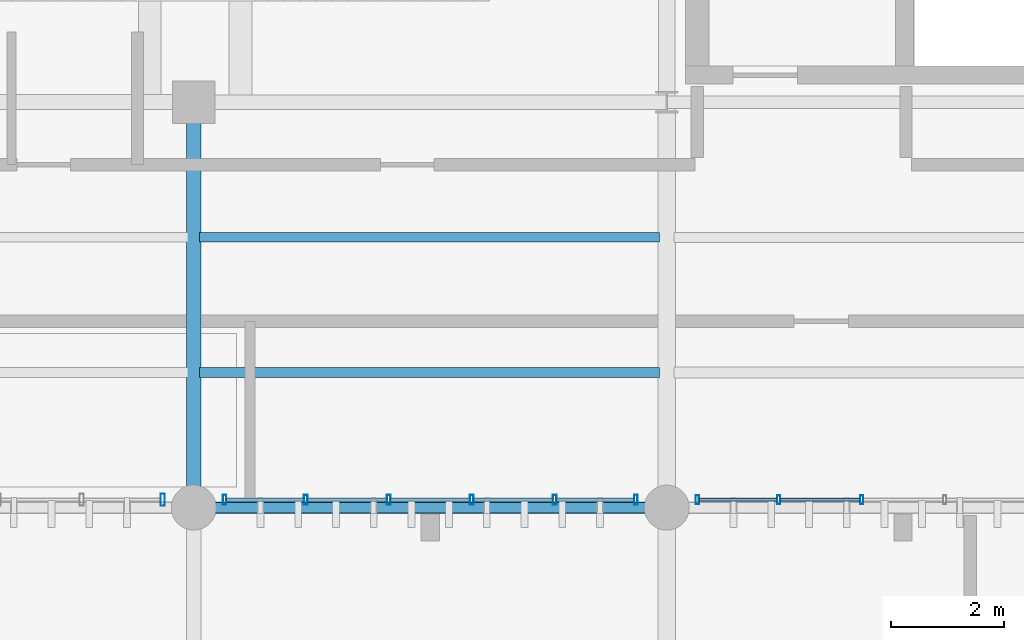
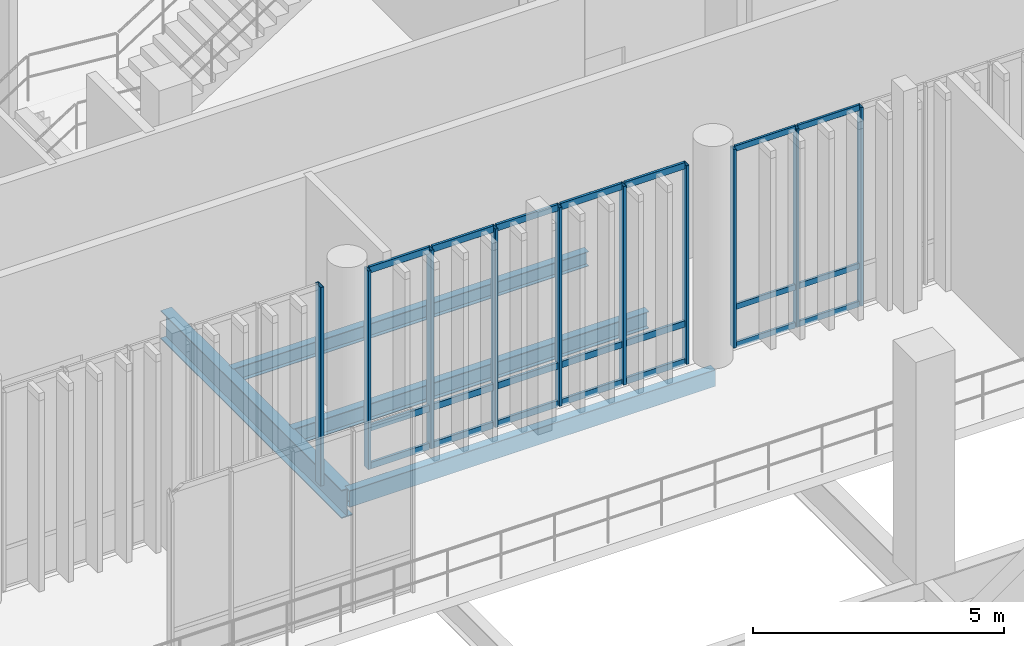
# One storey, part 60 of 128: 31 members, 4 beams, 3 elements without a shape of their own.
"""IFC4 building model written with IfcOpenShell, lengths in metres."""

from ifc_helpers import new_model, si_unit, direction, frame, origin_with_axes, origin_2d_with_axis, place, context, subcontext, project, spatial, hollow_rectangle, i_section, extrude, material, material_profile, profile_set, type_object, element, aggregate, save


model = new_model("IFC4")

# Units and contexts
model_context = context("Model", 3, precision=1e-05, world=origin_with_axes(), true_north=direction((0.0, 1.0)))
body_context = subcontext(model_context, "Body", "Model", "MODEL_VIEW")
ifc_project = project(units=[si_unit("LENGTHUNIT", "METRE"), si_unit("AREAUNIT", "SQUARE_METRE"), si_unit("VOLUMEUNIT", "CUBIC_METRE"), si_unit("PLANEANGLEUNIT", "RADIAN"), si_unit("MASSUNIT", "GRAM", prefix="KILO"), si_unit("THERMODYNAMICTEMPERATUREUNIT", "KELVIN")], contexts=[model_context])

# Site, building, storey
site_placement = place(None, origin_with_axes())
site = spatial("IfcSite", under=ifc_project, at=site_placement, CompositionType="ELEMENT")
building_placement = place(site_placement, origin_with_axes())
building = spatial("IfcBuilding", under=site, at=building_placement, Name="Montbau Bow Law Courts", CompositionType="ELEMENT")
storey_placement = place(building_placement, frame((0.0, 0.0, 5.4), z_axis=(0.0, 0.0, 1.0), x_axis=(1.0, 0.0, 0.0)))
storey = spatial("IfcBuildingStorey", under=building, at=storey_placement, Name="L01", CompositionType="ELEMENT", Elevation=5.4)

# Beams
ifc_material_1 = material(Name="Steel CSA G40.21 Grade 350W (350 MPa)", Category="steel")
ifc_material_profile_1 = material_profile(ifc_material_1, i_section(OverallWidth=0.254, OverallDepth=0.688, WebThickness=0.0131, FlangeThickness=0.0211, at=origin_2d_with_axis()), Name="W690X152", Category="Main", Priority=0)
ifc_profile_set_1 = profile_set([ifc_material_profile_1], Name="Steel CSA G40.21 Grade 350W (350 MPa)")
beam_type_1 = type_object("IfcBeamType", Name="B-FLR-04", PredefinedType="BEAM", material=ifc_profile_set_1)
beam_1_placement = place(None, frame((72.0, 39.0, 4.816), z_axis=(0.0, 1.0, 0.0), x_axis=(-1.0, 0.0, 0.0)))
element("IfcBeam", 1, at=beam_1_placement, inside=storey, type_object=beam_type_1, Name="BM-L01-S0829:bm2_0832", PredefinedType="BEAM", context=body_context, shape_type="SweptSolid", body=[
    extrude(i_section(OverallWidth=0.254, OverallDepth=0.688, WebThickness=0.0131, FlangeThickness=0.0211, at=origin_2d_with_axis()), origin_with_axes(), (0.0, 0.0, 1.0), 7.2),
])
ifc_material_profile_2 = material_profile(ifc_material_1, i_section(OverallWidth=0.179, OverallDepth=0.41, WebThickness=0.0088, FlangeThickness=0.0144, at=origin_2d_with_axis()), Name="W410X67", Category="Main", Priority=0)
ifc_profile_set_2 = profile_set([ifc_material_profile_2], Name="Steel CSA G40.21 Grade 350W (350 MPa)")
beam_type_2 = type_object("IfcBeamType", Name="B-JST-02", PredefinedType="JOIST", material=ifc_profile_set_2)
beam_2_placement = place(None, frame((72.103, 41.4, 4.955), z_axis=(1.0, 0.0, 0.0), x_axis=(0.0, 1.0, 0.0)))
element("IfcBeam", 2, at=beam_2_placement, inside=storey, type_object=beam_type_2, Name="JST-L01-S0425:jst2_0425", PredefinedType="JOIST", context=body_context, shape_type="SweptSolid", body=[
    extrude(i_section(OverallWidth=0.179, OverallDepth=0.41, WebThickness=0.0088, FlangeThickness=0.0144, at=origin_2d_with_axis()), origin_with_axes(), (0.0, 0.0, 1.0), 8.168),
])
ifc_material_profile_3 = material_profile(ifc_material_1, i_section(OverallWidth=0.172, OverallDepth=0.358, WebThickness=0.0079, FlangeThickness=0.0131, at=origin_2d_with_axis()), Name="W360X57", Category="Main", Priority=0)
ifc_profile_set_3 = profile_set([ifc_material_profile_3], Name="Steel CSA G40.21 Grade 350W (350 MPa)")
beam_type_3 = type_object("IfcBeamType", Name="B-JST-03", PredefinedType="JOIST", material=ifc_profile_set_3)
beam_3_placement = place(None, frame((72.103, 43.8, 4.981), z_axis=(1.0, 0.0, 0.0), x_axis=(0.0, 1.0, 0.0)))
element("IfcBeam", 3, at=beam_3_placement, inside=storey, type_object=beam_type_3, Name="JST-L01-S0426:jst2_0426", PredefinedType="JOIST", context=body_context, shape_type="SweptSolid", body=[
    extrude(i_section(OverallWidth=0.172, OverallDepth=0.358, WebThickness=0.0079, FlangeThickness=0.0131, at=origin_2d_with_axis()), origin_with_axes(), (0.0, 0.0, 1.0), 8.168),
])
ifc_material_2 = material(Name="Steel CSA G40.21 Grade 350WT (350 MPa)", Category="steel")
ifc_material_profile_4 = material_profile(ifc_material_2, hollow_rectangle(XDim=0.203, YDim=0.406, WallThickness=0.0127, InnerFilletRadius=0.0254, OuterFilletRadius=0.0127, at=origin_2d_with_axis()), Name="HSS406X203X13", Category="Main", Priority=0)
ifc_profile_set_4 = profile_set([ifc_material_profile_4], Name="Steel CSA G40.21 Grade 350WT (350 MPa)")
beam_type_4 = type_object("IfcBeamType", Name="B-SPN-01", PredefinedType="SPANDREL", material=ifc_profile_set_4)
beam_4_placement = place(None, frame((72.0, 39.0, 4.957), z_axis=(1.0, 0.0, 0.0), x_axis=(0.0, 1.0, 0.0)))
element("IfcBeam", 4, at=beam_4_placement, inside=storey, type_object=beam_type_4, Name="SPN-L01-S0801:bm2_0804", PredefinedType="SPANDREL", context=body_context, shape_type="SweptSolid", body=[
    extrude(hollow_rectangle(XDim=0.203, YDim=0.406, WallThickness=0.0127, InnerFilletRadius=0.0254, OuterFilletRadius=0.0127, at=origin_2d_with_axis()), origin_with_axes(), (0.0, 0.0, 1.0), 8.4),
])

# Curtain wall, member
ifc_material_3 = material(Name="Thermally Broken Extruded Aluminium AA 6063-T6", Category="aluminium")
curtain_wall_type = type_object("IfcCurtainWallType", Name="CW-CRM-01", PredefinedType="NOTDEFINED", material=ifc_material_3)
curtain_wall_1_placement = place(None, frame((64.115, 39.14, 5.4), z_axis=(0.0, 0.0, 1.0), x_axis=(1.0, 0.0, 0.0)))
curtain_wall_1 = element("IfcCurtainWall", 5, at=curtain_wall_1_placement, inside=storey, type_object=curtain_wall_type, Name="CW-L01-141:cw_0141", PredefinedType="NOTDEFINED")
ifc_material_profile_5 = material_profile(ifc_material_3, hollow_rectangle(XDim=0.075, YDim=0.22, WallThickness=0.005, InnerFilletRadius=0.01, OuterFilletRadius=0.005, at=origin_2d_with_axis()), Name="CWM-220X75", Category="Main", Priority=0)
ifc_profile_set_5 = profile_set([ifc_material_profile_5], Name="Thermally Broken Extruded Aluminium AA 6063-T6")
member_type_1 = type_object("IfcMemberType", Name="M-MUL-01", PredefinedType="MULLION", material=ifc_profile_set_5)
member_1_placement = place(None, frame((71.448, 39.14, 5.4), z_axis=(0.0, 0.0, 1.0), x_axis=(1.0, 0.0, 0.0)))
member_1 = element("IfcMember", 6, at=member_1_placement, type_object=member_type_1, Name="CW-L01-141-M06:cw_0141_M06", PredefinedType="MULLION", context=body_context, shape_type="SweptSolid", body=[
    extrude(hollow_rectangle(XDim=0.075, YDim=0.22, WallThickness=0.005, InnerFilletRadius=0.01, OuterFilletRadius=0.005, at=origin_2d_with_axis()), origin_with_axes(), (0.0, 0.0, 1.0), 4.82),
])
aggregate(curtain_wall_1, [member_1])

# Curtain wall, members
curtain_wall_2_placement = place(None, frame((72.515, 39.14, 5.4), z_axis=(0.0, 0.0, 1.0), x_axis=(1.0, 0.0, 0.0)))
curtain_wall_2 = element("IfcCurtainWall", 7, at=curtain_wall_2_placement, inside=storey, type_object=curtain_wall_type, Name="CW-L01-142:cw_0142", PredefinedType="NOTDEFINED")
ifc_material_profile_6 = material_profile(ifc_material_3, hollow_rectangle(XDim=0.065, YDim=0.18, WallThickness=0.005, InnerFilletRadius=0.01, OuterFilletRadius=0.005, at=origin_2d_with_axis()), Name="CWM-180X65", Category="Main", Priority=0)
ifc_profile_set_6 = profile_set([ifc_material_profile_6], Name="Thermally Broken Extruded Aluminium AA 6063-T6")
member_type_2 = type_object("IfcMemberType", Name="M-MUL-02", PredefinedType="MULLION", material=ifc_profile_set_6)
member_2_placement = place(None, frame((72.548, 39.14, 5.4), z_axis=(0.0, 0.0, 1.0), x_axis=(1.0, 0.0, 0.0)))
member_2 = element("IfcMember", 8, at=member_2_placement, type_object=member_type_2, Name="CW-L01-142-M01:cw_0142_M01", PredefinedType="MULLION", context=body_context, shape_type="SweptSolid", body=[
    extrude(hollow_rectangle(XDim=0.065, YDim=0.18, WallThickness=0.005, InnerFilletRadius=0.01, OuterFilletRadius=0.005, at=origin_2d_with_axis()), origin_with_axes(), (0.0, 0.0, 1.0), 4.82),
])
member_3_placement = place(None, frame((73.989, 39.14, 5.4), z_axis=(0.0, 0.0, 1.0), x_axis=(1.0, 0.0, 0.0)))
member_3 = element("IfcMember", 9, at=member_3_placement, type_object=member_type_2, Name="CW-L01-142-M02:cw_0142_M02", PredefinedType="MULLION", context=body_context, shape_type="SweptSolid", body=[
    extrude(hollow_rectangle(XDim=0.065, YDim=0.18, WallThickness=0.005, InnerFilletRadius=0.01, OuterFilletRadius=0.005, at=origin_2d_with_axis()), origin_with_axes(), (0.0, 0.0, 1.0), 4.82),
])
member_4_placement = place(None, frame((75.463, 39.14, 5.4), z_axis=(0.0, 0.0, 1.0), x_axis=(1.0, 0.0, 0.0)))
member_4 = element("IfcMember", 10, at=member_4_placement, type_object=member_type_2, Name="CW-L01-142-M03:cw_0142_M03", PredefinedType="MULLION", context=body_context, shape_type="SweptSolid", body=[
    extrude(hollow_rectangle(XDim=0.065, YDim=0.18, WallThickness=0.005, InnerFilletRadius=0.01, OuterFilletRadius=0.005, at=origin_2d_with_axis()), origin_with_axes(), (0.0, 0.0, 1.0), 4.82),
])
member_5_placement = place(None, frame((76.937, 39.14, 5.4), z_axis=(0.0, 0.0, 1.0), x_axis=(1.0, 0.0, 0.0)))
member_5 = element("IfcMember", 11, at=member_5_placement, type_object=member_type_2, Name="CW-L01-142-M04:cw_0142_M04", PredefinedType="MULLION", context=body_context, shape_type="SweptSolid", body=[
    extrude(hollow_rectangle(XDim=0.065, YDim=0.18, WallThickness=0.005, InnerFilletRadius=0.01, OuterFilletRadius=0.005, at=origin_2d_with_axis()), origin_with_axes(), (0.0, 0.0, 1.0), 4.82),
])
member_6_placement = place(None, frame((78.411, 39.14, 5.4), z_axis=(0.0, 0.0, 1.0), x_axis=(1.0, 0.0, 0.0)))
member_6 = element("IfcMember", 12, at=member_6_placement, type_object=member_type_2, Name="CW-L01-142-M05:cw_0142_M05", PredefinedType="MULLION", context=body_context, shape_type="SweptSolid", body=[
    extrude(hollow_rectangle(XDim=0.065, YDim=0.18, WallThickness=0.005, InnerFilletRadius=0.01, OuterFilletRadius=0.005, at=origin_2d_with_axis()), origin_with_axes(), (0.0, 0.0, 1.0), 4.82),
])
member_7_placement = place(None, frame((79.853, 39.14, 5.4), z_axis=(0.0, 0.0, 1.0), x_axis=(1.0, 0.0, 0.0)))
member_7 = element("IfcMember", 13, at=member_7_placement, type_object=member_type_2, Name="CW-L01-142-M06:cw_0142_M06", PredefinedType="MULLION", context=body_context, shape_type="SweptSolid", body=[
    extrude(hollow_rectangle(XDim=0.065, YDim=0.18, WallThickness=0.005, InnerFilletRadius=0.01, OuterFilletRadius=0.005, at=origin_2d_with_axis()), origin_with_axes(), (0.0, 0.0, 1.0), 4.82),
])

curtain_wall_3_placement = place(None, frame((80.915, 39.14, 5.4), z_axis=(0.0, 0.0, 1.0), x_axis=(1.0, 0.0, 0.0)))
curtain_wall_3 = element("IfcCurtainWall", 14, at=curtain_wall_3_placement, inside=storey, type_object=curtain_wall_type, Name="CW-L01-143:cw_0143", PredefinedType="NOTDEFINED")
ifc_material_profile_7 = material_profile(ifc_material_3, hollow_rectangle(XDim=0.06, YDim=0.16, WallThickness=0.004, InnerFilletRadius=0.008, OuterFilletRadius=0.004, at=origin_2d_with_axis()), Name="CWM-160X60", Category="Main", Priority=0)
ifc_profile_set_7 = profile_set([ifc_material_profile_7], Name="Thermally Broken Extruded Aluminium AA 6063-T6")
member_type_3 = type_object("IfcMemberType", Name="M-MUL-03", PredefinedType="MULLION", material=ifc_profile_set_7)
member_8_placement = place(None, frame((80.945, 39.14, 5.4), z_axis=(0.0, 0.0, 1.0), x_axis=(1.0, 0.0, 0.0)))
member_8 = element("IfcMember", 15, at=member_8_placement, type_object=member_type_3, Name="CW-L01-143-M01:cw_0143_M01", PredefinedType="MULLION", context=body_context, shape_type="SweptSolid", body=[
    extrude(hollow_rectangle(XDim=0.06, YDim=0.16, WallThickness=0.004, InnerFilletRadius=0.008, OuterFilletRadius=0.004, at=origin_2d_with_axis()), origin_with_axes(), (0.0, 0.0, 1.0), 4.82),
])
member_9_placement = place(None, frame((82.389, 39.14, 5.4), z_axis=(0.0, 0.0, 1.0), x_axis=(1.0, 0.0, 0.0)))
member_9 = element("IfcMember", 16, at=member_9_placement, type_object=member_type_3, Name="CW-L01-143-M02:cw_0143_M02", PredefinedType="MULLION", context=body_context, shape_type="SweptSolid", body=[
    extrude(hollow_rectangle(XDim=0.06, YDim=0.16, WallThickness=0.004, InnerFilletRadius=0.008, OuterFilletRadius=0.004, at=origin_2d_with_axis()), origin_with_axes(), (0.0, 0.0, 1.0), 4.82),
])
member_10_placement = place(None, frame((83.863, 39.14, 5.4), z_axis=(0.0, 0.0, 1.0), x_axis=(1.0, 0.0, 0.0)))
member_10 = element("IfcMember", 17, at=member_10_placement, type_object=member_type_3, Name="CW-L01-143-M03:cw_0143_M03", PredefinedType="MULLION", context=body_context, shape_type="SweptSolid", body=[
    extrude(hollow_rectangle(XDim=0.06, YDim=0.16, WallThickness=0.004, InnerFilletRadius=0.008, OuterFilletRadius=0.004, at=origin_2d_with_axis()), origin_with_axes(), (0.0, 0.0, 1.0), 4.82),
])

# Member
ifc_material_profile_8 = material_profile(ifc_material_3, hollow_rectangle(XDim=0.06, YDim=0.16, WallThickness=0.004, InnerFilletRadius=0.008, OuterFilletRadius=0.004, at=origin_2d_with_axis()), Name="CWT-160X60", Category="Main", Priority=0)
ifc_profile_set_8 = profile_set([ifc_material_profile_8], Name="Thermally Broken Extruded Aluminium AA 6063-T6")
member_type_4 = type_object("IfcMemberType", Name="M-TRN-01", PredefinedType="USERDEFINED", material=ifc_profile_set_8)
member_11_placement = place(None, frame((72.583, 39.14, 5.43), z_axis=(1.0, 0.0, 0.0), x_axis=(0.0, 1.0, 0.0)))
member_11 = element("IfcMember", 18, at=member_11_placement, type_object=member_type_4, Name="CW-L01-142-T01-1:cw_0142_T01_1", ObjectType="TRANSOM", PredefinedType="USERDEFINED", context=body_context, shape_type="SweptSolid", body=[
    extrude(hollow_rectangle(XDim=0.06, YDim=0.16, WallThickness=0.004, InnerFilletRadius=0.008, OuterFilletRadius=0.004, at=origin_2d_with_axis()), origin_with_axes(), (0.0, 0.0, 1.0), 1.372),
])

member_12_placement = place(None, frame((72.583, 39.14, 6.35), z_axis=(1.0, 0.0, 0.0), x_axis=(0.0, 1.0, 0.0)))
member_12 = element("IfcMember", 19, at=member_12_placement, type_object=member_type_4, Name="CW-L01-142-T01-2:cw_0142_T01_2", ObjectType="TRANSOM", PredefinedType="USERDEFINED", context=body_context, shape_type="SweptSolid", body=[
    extrude(hollow_rectangle(XDim=0.06, YDim=0.16, WallThickness=0.004, InnerFilletRadius=0.008, OuterFilletRadius=0.004, at=origin_2d_with_axis()), origin_with_axes(), (0.0, 0.0, 1.0), 1.372),
])

member_13_placement = place(None, frame((72.583, 39.14, 10.19), z_axis=(1.0, 0.0, 0.0), x_axis=(0.0, 1.0, 0.0)))
member_13 = element("IfcMember", 20, at=member_13_placement, type_object=member_type_4, Name="CW-L01-142-T01-3:cw_0142_T01_3", ObjectType="TRANSOM", PredefinedType="USERDEFINED", context=body_context, shape_type="SweptSolid", body=[
    extrude(hollow_rectangle(XDim=0.06, YDim=0.16, WallThickness=0.004, InnerFilletRadius=0.008, OuterFilletRadius=0.004, at=origin_2d_with_axis()), origin_with_axes(), (0.0, 0.0, 1.0), 1.372),
])

member_14_placement = place(None, frame((74.023, 39.14, 5.43), z_axis=(1.0, 0.0, 0.0), x_axis=(0.0, 1.0, 0.0)))
member_14 = element("IfcMember", 21, at=member_14_placement, type_object=member_type_4, Name="CW-L01-142-T02-1:cw_0142_T02_1", ObjectType="TRANSOM", PredefinedType="USERDEFINED", context=body_context, shape_type="SweptSolid", body=[
    extrude(hollow_rectangle(XDim=0.06, YDim=0.16, WallThickness=0.004, InnerFilletRadius=0.008, OuterFilletRadius=0.004, at=origin_2d_with_axis()), origin_with_axes(), (0.0, 0.0, 1.0), 1.405),
])

member_15_placement = place(None, frame((74.023, 39.14, 6.35), z_axis=(1.0, 0.0, 0.0), x_axis=(0.0, 1.0, 0.0)))
member_15 = element("IfcMember", 22, at=member_15_placement, type_object=member_type_4, Name="CW-L01-142-T02-2:cw_0142_T02_2", ObjectType="TRANSOM", PredefinedType="USERDEFINED", context=body_context, shape_type="SweptSolid", body=[
    extrude(hollow_rectangle(XDim=0.06, YDim=0.16, WallThickness=0.004, InnerFilletRadius=0.008, OuterFilletRadius=0.004, at=origin_2d_with_axis()), origin_with_axes(), (0.0, 0.0, 1.0), 1.405),
])

member_16_placement = place(None, frame((74.023, 39.14, 10.19), z_axis=(1.0, 0.0, 0.0), x_axis=(0.0, 1.0, 0.0)))
member_16 = element("IfcMember", 23, at=member_16_placement, type_object=member_type_4, Name="CW-L01-142-T02-3:cw_0142_T02_3", ObjectType="TRANSOM", PredefinedType="USERDEFINED", context=body_context, shape_type="SweptSolid", body=[
    extrude(hollow_rectangle(XDim=0.06, YDim=0.16, WallThickness=0.004, InnerFilletRadius=0.008, OuterFilletRadius=0.004, at=origin_2d_with_axis()), origin_with_axes(), (0.0, 0.0, 1.0), 1.405),
])

member_17_placement = place(None, frame((75.497, 39.14, 5.43), z_axis=(1.0, 0.0, 0.0), x_axis=(0.0, 1.0, 0.0)))
member_17 = element("IfcMember", 24, at=member_17_placement, type_object=member_type_4, Name="CW-L01-142-T03-1:cw_0142_T03_1", ObjectType="TRANSOM", PredefinedType="USERDEFINED", context=body_context, shape_type="SweptSolid", body=[
    extrude(hollow_rectangle(XDim=0.06, YDim=0.16, WallThickness=0.004, InnerFilletRadius=0.008, OuterFilletRadius=0.004, at=origin_2d_with_axis()), origin_with_axes(), (0.0, 0.0, 1.0), 1.406),
])

member_18_placement = place(None, frame((75.497, 39.14, 6.35), z_axis=(1.0, 0.0, 0.0), x_axis=(0.0, 1.0, 0.0)))
member_18 = element("IfcMember", 25, at=member_18_placement, type_object=member_type_4, Name="CW-L01-142-T03-2:cw_0142_T03_2", ObjectType="TRANSOM", PredefinedType="USERDEFINED", context=body_context, shape_type="SweptSolid", body=[
    extrude(hollow_rectangle(XDim=0.06, YDim=0.16, WallThickness=0.004, InnerFilletRadius=0.008, OuterFilletRadius=0.004, at=origin_2d_with_axis()), origin_with_axes(), (0.0, 0.0, 1.0), 1.406),
])

member_19_placement = place(None, frame((75.497, 39.14, 10.19), z_axis=(1.0, 0.0, 0.0), x_axis=(0.0, 1.0, 0.0)))
member_19 = element("IfcMember", 26, at=member_19_placement, type_object=member_type_4, Name="CW-L01-142-T03-3:cw_0142_T03_3", ObjectType="TRANSOM", PredefinedType="USERDEFINED", context=body_context, shape_type="SweptSolid", body=[
    extrude(hollow_rectangle(XDim=0.06, YDim=0.16, WallThickness=0.004, InnerFilletRadius=0.008, OuterFilletRadius=0.004, at=origin_2d_with_axis()), origin_with_axes(), (0.0, 0.0, 1.0), 1.406),
])

member_20_placement = place(None, frame((76.971, 39.14, 5.43), z_axis=(1.0, 0.0, 0.0), x_axis=(0.0, 1.0, 0.0)))
member_20 = element("IfcMember", 27, at=member_20_placement, type_object=member_type_4, Name="CW-L01-142-T04-1:cw_0142_T04_1", ObjectType="TRANSOM", PredefinedType="USERDEFINED", context=body_context, shape_type="SweptSolid", body=[
    extrude(hollow_rectangle(XDim=0.06, YDim=0.16, WallThickness=0.004, InnerFilletRadius=0.008, OuterFilletRadius=0.004, at=origin_2d_with_axis()), origin_with_axes(), (0.0, 0.0, 1.0), 1.406),
])

member_21_placement = place(None, frame((76.971, 39.14, 6.35), z_axis=(1.0, 0.0, 0.0), x_axis=(0.0, 1.0, 0.0)))
member_21 = element("IfcMember", 28, at=member_21_placement, type_object=member_type_4, Name="CW-L01-142-T04-2:cw_0142_T04_2", ObjectType="TRANSOM", PredefinedType="USERDEFINED", context=body_context, shape_type="SweptSolid", body=[
    extrude(hollow_rectangle(XDim=0.06, YDim=0.16, WallThickness=0.004, InnerFilletRadius=0.008, OuterFilletRadius=0.004, at=origin_2d_with_axis()), origin_with_axes(), (0.0, 0.0, 1.0), 1.406),
])

member_22_placement = place(None, frame((76.971, 39.14, 10.19), z_axis=(1.0, 0.0, 0.0), x_axis=(0.0, 1.0, 0.0)))
member_22 = element("IfcMember", 29, at=member_22_placement, type_object=member_type_4, Name="CW-L01-142-T04-3:cw_0142_T04_3", ObjectType="TRANSOM", PredefinedType="USERDEFINED", context=body_context, shape_type="SweptSolid", body=[
    extrude(hollow_rectangle(XDim=0.06, YDim=0.16, WallThickness=0.004, InnerFilletRadius=0.008, OuterFilletRadius=0.004, at=origin_2d_with_axis()), origin_with_axes(), (0.0, 0.0, 1.0), 1.406),
])

member_23_placement = place(None, frame((78.445, 39.14, 5.43), z_axis=(1.0, 0.0, 0.0), x_axis=(0.0, 1.0, 0.0)))
member_23 = element("IfcMember", 30, at=member_23_placement, type_object=member_type_4, Name="CW-L01-142-T05-1:cw_0142_T05_1", ObjectType="TRANSOM", PredefinedType="USERDEFINED", context=body_context, shape_type="SweptSolid", body=[
    extrude(hollow_rectangle(XDim=0.06, YDim=0.16, WallThickness=0.004, InnerFilletRadius=0.008, OuterFilletRadius=0.004, at=origin_2d_with_axis()), origin_with_axes(), (0.0, 0.0, 1.0), 1.374),
])

member_24_placement = place(None, frame((78.445, 39.14, 6.35), z_axis=(1.0, 0.0, 0.0), x_axis=(0.0, 1.0, 0.0)))
member_24 = element("IfcMember", 31, at=member_24_placement, type_object=member_type_4, Name="CW-L01-142-T05-2:cw_0142_T05_2", ObjectType="TRANSOM", PredefinedType="USERDEFINED", context=body_context, shape_type="SweptSolid", body=[
    extrude(hollow_rectangle(XDim=0.06, YDim=0.16, WallThickness=0.004, InnerFilletRadius=0.008, OuterFilletRadius=0.004, at=origin_2d_with_axis()), origin_with_axes(), (0.0, 0.0, 1.0), 1.374),
])

member_25_placement = place(None, frame((78.445, 39.14, 10.19), z_axis=(1.0, 0.0, 0.0), x_axis=(0.0, 1.0, 0.0)))
member_25 = element("IfcMember", 32, at=member_25_placement, type_object=member_type_4, Name="CW-L01-142-T05-3:cw_0142_T05_3", ObjectType="TRANSOM", PredefinedType="USERDEFINED", context=body_context, shape_type="SweptSolid", body=[
    extrude(hollow_rectangle(XDim=0.06, YDim=0.16, WallThickness=0.004, InnerFilletRadius=0.008, OuterFilletRadius=0.004, at=origin_2d_with_axis()), origin_with_axes(), (0.0, 0.0, 1.0), 1.374),
])

aggregate(curtain_wall_2, [member_2, member_3, member_4, member_5, member_6, member_7, member_11, member_12, member_13, member_14, member_15, member_16, member_17, member_18, member_19, member_20, member_21, member_22, member_23, member_24, member_25])

ifc_material_profile_9 = material_profile(ifc_material_3, hollow_rectangle(XDim=0.055, YDim=0.14, WallThickness=0.004, InnerFilletRadius=0.008, OuterFilletRadius=0.004, at=origin_2d_with_axis()), Name="CWT-140X55", Category="Main", Priority=0)
ifc_profile_set_9 = profile_set([ifc_material_profile_9], Name="Thermally Broken Extruded Aluminium AA 6063-T6")
member_type_5 = type_object("IfcMemberType", Name="M-TRN-02", PredefinedType="USERDEFINED", material=ifc_profile_set_9)
member_26_placement = place(None, frame((80.977, 39.14, 5.428), z_axis=(1.0, 0.0, 0.0), x_axis=(0.0, 1.0, 0.0)))
member_26 = element("IfcMember", 33, at=member_26_placement, type_object=member_type_5, Name="CW-L01-143-T01-1:cw_0143_T01_1", ObjectType="TRANSOM", PredefinedType="USERDEFINED", context=body_context, shape_type="SweptSolid", body=[
    extrude(hollow_rectangle(XDim=0.055, YDim=0.14, WallThickness=0.004, InnerFilletRadius=0.008, OuterFilletRadius=0.004, at=origin_2d_with_axis()), origin_with_axes(), (0.0, 0.0, 1.0), 1.38),
])

member_27_placement = place(None, frame((80.977, 39.14, 6.35), z_axis=(1.0, 0.0, 0.0), x_axis=(0.0, 1.0, 0.0)))
member_27 = element("IfcMember", 34, at=member_27_placement, type_object=member_type_5, Name="CW-L01-143-T01-2:cw_0143_T01_2", ObjectType="TRANSOM", PredefinedType="USERDEFINED", context=body_context, shape_type="SweptSolid", body=[
    extrude(hollow_rectangle(XDim=0.055, YDim=0.14, WallThickness=0.004, InnerFilletRadius=0.008, OuterFilletRadius=0.004, at=origin_2d_with_axis()), origin_with_axes(), (0.0, 0.0, 1.0), 1.38),
])

member_28_placement = place(None, frame((80.977, 39.14, 10.193), z_axis=(1.0, 0.0, 0.0), x_axis=(0.0, 1.0, 0.0)))
member_28 = element("IfcMember", 35, at=member_28_placement, type_object=member_type_5, Name="CW-L01-143-T01-3:cw_0143_T01_3", ObjectType="TRANSOM", PredefinedType="USERDEFINED", context=body_context, shape_type="SweptSolid", body=[
    extrude(hollow_rectangle(XDim=0.055, YDim=0.14, WallThickness=0.004, InnerFilletRadius=0.008, OuterFilletRadius=0.004, at=origin_2d_with_axis()), origin_with_axes(), (0.0, 0.0, 1.0), 1.38),
])

member_29_placement = place(None, frame((82.421, 39.14, 5.428), z_axis=(1.0, 0.0, 0.0), x_axis=(0.0, 1.0, 0.0)))
member_29 = element("IfcMember", 36, at=member_29_placement, type_object=member_type_5, Name="CW-L01-143-T02-1:cw_0143_T02_1", ObjectType="TRANSOM", PredefinedType="USERDEFINED", context=body_context, shape_type="SweptSolid", body=[
    extrude(hollow_rectangle(XDim=0.055, YDim=0.14, WallThickness=0.004, InnerFilletRadius=0.008, OuterFilletRadius=0.004, at=origin_2d_with_axis()), origin_with_axes(), (0.0, 0.0, 1.0), 1.41),
])

member_30_placement = place(None, frame((82.421, 39.14, 6.35), z_axis=(1.0, 0.0, 0.0), x_axis=(0.0, 1.0, 0.0)))
member_30 = element("IfcMember", 37, at=member_30_placement, type_object=member_type_5, Name="CW-L01-143-T02-2:cw_0143_T02_2", ObjectType="TRANSOM", PredefinedType="USERDEFINED", context=body_context, shape_type="SweptSolid", body=[
    extrude(hollow_rectangle(XDim=0.055, YDim=0.14, WallThickness=0.004, InnerFilletRadius=0.008, OuterFilletRadius=0.004, at=origin_2d_with_axis()), origin_with_axes(), (0.0, 0.0, 1.0), 1.41),
])

member_31_placement = place(None, frame((82.421, 39.14, 10.193), z_axis=(1.0, 0.0, 0.0), x_axis=(0.0, 1.0, 0.0)))
member_31 = element("IfcMember", 38, at=member_31_placement, type_object=member_type_5, Name="CW-L01-143-T02-3:cw_0143_T02_3", ObjectType="TRANSOM", PredefinedType="USERDEFINED", context=body_context, shape_type="SweptSolid", body=[
    extrude(hollow_rectangle(XDim=0.055, YDim=0.14, WallThickness=0.004, InnerFilletRadius=0.008, OuterFilletRadius=0.004, at=origin_2d_with_axis()), origin_with_axes(), (0.0, 0.0, 1.0), 1.41),
])

aggregate(curtain_wall_3, [member_8, member_9, member_10, member_26, member_27, member_28, member_29, member_30, member_31])

save(model, "model.ifc")
